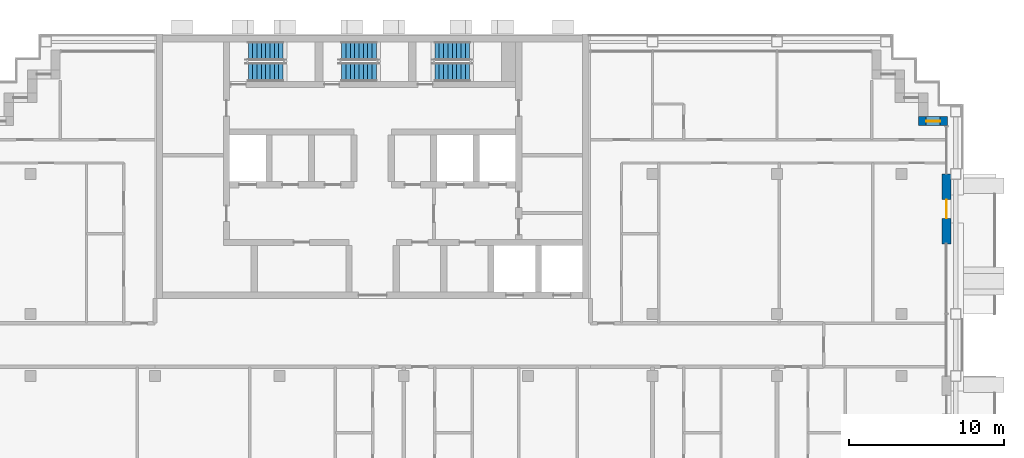
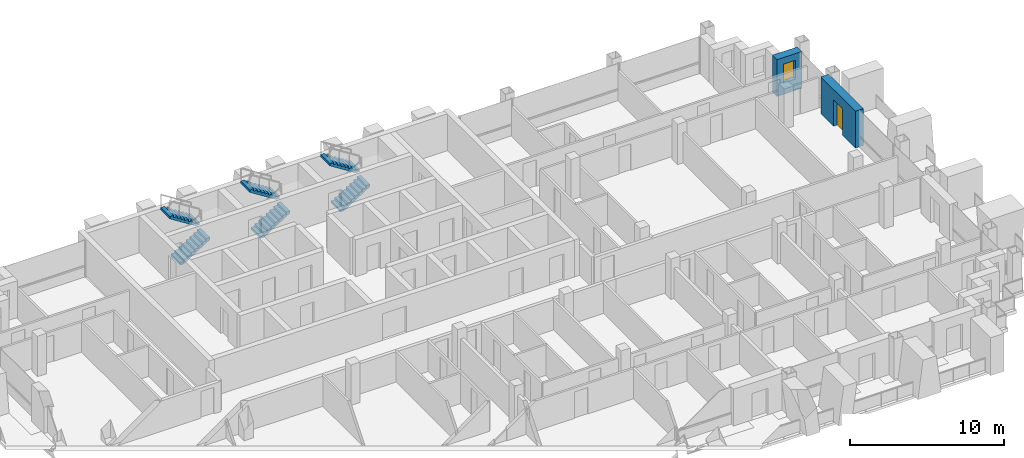
# One storey, part 12 of 16: 6 stair flights, 2 walls, 1 door, 1 window, 2 openings, 3 elements without a shape of their own.
"""IFC4 building model written with IfcOpenShell, lengths in metres."""

import ifcopenshell
import ifcopenshell.guid

model = None  # the IFC model being written
_history = None  # IfcOwnerHistory: only IFC2X3 demands one
_inside = {}  # id of a spatial element -> (the spatial element, [elements in it])
_under = {}  # id of a project, library or spatial element -> (it, [spatial elements below it])
_declared = {}  # id of a project -> (the project, [libraries it declares])
_typed = {}  # id of a type object -> (the type object, [elements of that type])
_made_of = {}  # id of a material, layer set ... -> (it, [elements and type objects made of it])


def new_model(schema):
    """Start an empty IFC model of exactly this schema.

    Asked for "IFC4X3", IfcOpenShell would pick the latest addendum, in which some entities
    have other attributes; the version numbers below select the first issue.
    IFC2X3 requires an IfcOwnerHistory on every rooted entity: one is made here for all.
    """
    global model, _history
    if schema == "IFC4X3":
        model = ifcopenshell.file(schema_version=(4, 3, 0, 0))
    else:
        model = ifcopenshell.file(schema=schema)
    _inside.clear()
    _under.clear()
    _declared.clear()
    _typed.clear()
    _made_of.clear()
    _history = None
    if model.schema == "IFC2X3":
        org = make("IfcOrganization", Name="unknown")
        user = make(
            "IfcPersonAndOrganization",
            ThePerson=make("IfcPerson", FamilyName="unknown"),
            TheOrganization=org,
        )
        app = make(
            "IfcApplication",
            ApplicationDeveloper=org,
            Version="unknown",
            ApplicationFullName="unknown",
            ApplicationIdentifier="unknown",
        )
        _history = make(
            "IfcOwnerHistory",
            OwningUser=user,
            OwningApplication=app,
            ChangeAction="ADDED",
            CreationDate=0,
        )
    return model


def make(cls, **values):
    """One entity of the class cls with the attributes given. An attribute that is None is left unset."""
    return model.create_entity(
        cls, **{name: value for name, value in values.items() if value is not None}
    )


def rooted(cls, **values):
    """An entity with a GlobalId (a new one), such as an element, a storey or a relation."""
    return make(cls, GlobalId=ifcopenshell.guid.new(), OwnerHistory=_history, **values)


def si_unit(unit_type, name, prefix=None):
    """IfcSIUnit, for example si_unit("LENGTHUNIT", "METRE", prefix="MILLI")."""
    return make("IfcSIUnit", UnitType=unit_type, Prefix=prefix, Name=name)


def assignment(units):
    """IfcUnitAssignment: the units of a project."""
    return None if units is None else make("IfcUnitAssignment", Units=units)


def point(xyz):
    """IfcCartesianPoint."""
    return None if xyz is None else make("IfcCartesianPoint", Coordinates=xyz)


def direction(xyz):
    """IfcDirection."""
    return None if xyz is None else make("IfcDirection", DirectionRatios=xyz)


def frame(location, z_axis=None, x_axis=None):
    """IfcAxis2Placement3D, a coordinate frame: its origin and axes. An axis left out is left unset."""
    return make(
        "IfcAxis2Placement3D",
        Location=point(location),
        Axis=direction(z_axis),
        RefDirection=direction(x_axis),
    )


def frame_2d(location, x_axis=None):
    """IfcAxis2Placement2D, a coordinate frame in the plane: its origin and x axis."""
    return make(
        "IfcAxis2Placement2D", Location=point(location), RefDirection=direction(x_axis)
    )


def origin():
    """The frame at (0, 0, 0) with its axes left unset."""
    return frame((0.0, 0.0, 0.0))


def place(relative_to, where):
    """IfcLocalPlacement: puts the frame where relative to a parent placement (None: the world)."""
    return make(
        "IfcLocalPlacement", PlacementRelTo=relative_to, RelativePlacement=where
    )


def context(
    kind, dimensions, precision=None, world=None, true_north=None, identifier=None
):
    """IfcGeometricRepresentationContext, for example the 3D "Model" context."""
    return make(
        "IfcGeometricRepresentationContext",
        ContextIdentifier=identifier,
        ContextType=kind,
        CoordinateSpaceDimension=dimensions,
        Precision=precision,
        WorldCoordinateSystem=world,
        TrueNorth=true_north,
    )


def subcontext(parent, identifier, kind, view, scale=None):
    """IfcGeometricRepresentationSubContext, for example "Body" below "Model"."""
    return make(
        "IfcGeometricRepresentationSubContext",
        ContextIdentifier=identifier,
        ContextType=kind,
        ParentContext=parent,
        TargetScale=scale,
        TargetView=view,
    )


def project(units=None, contexts=None):
    """IfcProject with its units and contexts."""
    return rooted(
        "IfcProject",
        Name="project",
        RepresentationContexts=contexts,
        UnitsInContext=assignment(units),
    )


def spatial(cls, under=None, at=None, **own):
    """A site, building, storey or space (cls), placed at a placement, below another one or the project."""
    s = rooted(cls, ObjectPlacement=at, **own)
    if under is not None:
        _under.setdefault(under.id(), (under, []))[1].append(s)
    return s


def polyline(points):
    """IfcPolyline through the points."""
    return make("IfcPolyline", Points=[point(p) for p in points])


def profile(cls, at=None, kind="AREA", **sizes):
    """A parametric profile (cls). Its sizes go by their IFC names, for example OverallWidth=200.0."""
    return make(cls, ProfileType=kind, Position=at, **sizes)


def rectangle(**sizes):
    """IfcRectangleProfileDef."""
    return profile("IfcRectangleProfileDef", **sizes)


def outline(outer, holes=None, kind="AREA"):
    """IfcArbitraryClosedProfileDef: a profile drawn as a closed curve; with holes, ...WithVoids."""
    if holes is None:
        return make("IfcArbitraryClosedProfileDef", ProfileType=kind, OuterCurve=outer)
    return make(
        "IfcArbitraryProfileDefWithVoids",
        ProfileType=kind,
        OuterCurve=outer,
        InnerCurves=holes,
    )


def extrude(swept, where, along, depth):
    """IfcExtrudedAreaSolid: the profile swept, set in the frame where, extruded along a direction by depth."""
    return make(
        "IfcExtrudedAreaSolid",
        SweptArea=swept,
        Position=where,
        ExtrudedDirection=direction(along),
        Depth=depth,
    )


def shape(context_of_items, identifier, shape_type, items):
    """IfcShapeRepresentation: the items that make up one representation, for example the "Body"."""
    return make(
        "IfcShapeRepresentation",
        ContextOfItems=context_of_items,
        RepresentationIdentifier=identifier,
        RepresentationType=shape_type,
        Items=items,
    )


def material(Name=None, Category=None):
    """IfcMaterial."""
    return make("IfcMaterial", Name=Name, Category=Category)


def layer(
    of_material, thickness, ventilated=None, Name=None, Category=None, Priority=None
):
    """IfcMaterialLayer: one layer of a wall or slab, of a material (None: an air gap)."""
    return make(
        "IfcMaterialLayer",
        Material=of_material,
        LayerThickness=thickness,
        IsVentilated=ventilated,
        Name=Name,
        Category=Category,
        Priority=Priority,
    )


def layer_set(layers, Name=None):
    """IfcMaterialLayerSet."""
    return make("IfcMaterialLayerSet", MaterialLayers=layers, LayerSetName=Name)


def made_of(thing, what):
    """Note that an element or type object is made of a material, layer set ...; save() writes the relation."""
    if what is not None:
        _made_of.setdefault(what.id(), (what, []))[1].append(thing)
    return thing


def type_object(cls, material=None, **own):
    """A type object (cls), such as IfcWallType, which elements share."""
    return made_of(rooted(cls, **own), material)


def element(
    cls,
    number,
    at=None,
    inside=None,
    cuts=None,
    type_object=None,
    material=None,
    context=None,
    identifier="Body",
    shape_type=None,
    held_by="IfcProductDefinitionShape",
    body=None,
    shapes=None,
    **own,
):
    """One element of the class cls, such as IfcWall. Its Tag is "e" and its number.

    at: its placement. inside: the storey or other place that contains it. cuts: it is an
    opening in that element (IfcRelVoidsElement). A single representation is given by context,
    identifier, shape_type and body (its items); several are given by shapes. held_by: the class
    of the entity that holds the representations. save() writes the other relations.
    """
    e = rooted(cls, Tag="e%d" % number, ObjectPlacement=at, **own)
    if body is not None:
        shapes = [shape(context, identifier, shape_type, body)]
    if shapes is not None:
        e.Representation = make(held_by, Representations=shapes)
    if inside is not None:
        _inside.setdefault(inside.id(), (inside, []))[1].append(e)
    if cuts is not None:
        rooted(
            "IfcRelVoidsElement", RelatingBuildingElement=cuts, RelatedOpeningElement=e
        )
    if type_object is not None:
        _typed.setdefault(type_object.id(), (type_object, []))[1].append(e)
    return made_of(e, material)


def fill(opening, filler):
    """IfcRelFillsElement: the door or window that sits in an opening."""
    return rooted(
        "IfcRelFillsElement",
        RelatingOpeningElement=opening,
        RelatedBuildingElement=filler,
    )


def aggregate(whole, parts):
    """IfcRelAggregates: a whole, such as a stair, and the parts it consists of."""
    return rooted("IfcRelAggregates", RelatingObject=whole, RelatedObjects=parts)


def save(model, path):
    """Write the relations noted so far, then the file.

    IfcRelAggregates (storeys below a building ...), IfcRelContainedInSpatialStructure (elements
    in a storey), IfcRelDefinesByType, IfcRelAssociatesMaterial and IfcRelDeclares: one each for
    every whole, place, type object, material and project.
    """
    for whole, parts in _under.values():
        aggregate(whole, parts)
    for where, things in _inside.values():
        rooted(
            "IfcRelContainedInSpatialStructure",
            RelatedElements=things,
            RelatingStructure=where,
        )
    for kind, things in _typed.values():
        rooted("IfcRelDefinesByType", RelatedObjects=things, RelatingType=kind)
    for what, things in _made_of.values():
        rooted("IfcRelAssociatesMaterial", RelatedObjects=things, RelatingMaterial=what)
    for by, libraries in _declared.values():
        rooted("IfcRelDeclares", RelatingContext=by, RelatedDefinitions=libraries)
    model.write(path)


model = new_model("IFC4")

# Units and contexts
model_context = context("Model", 3, precision=1e-05, world=origin(), true_north=direction((0.0, 1.0)))
body_context = subcontext(model_context, "Body", "Model", "MODEL_VIEW")
ifc_project = project(units=[si_unit("LENGTHUNIT", "METRE"), si_unit("AREAUNIT", "SQUARE_METRE"), si_unit("VOLUMEUNIT", "CUBIC_METRE"), si_unit("PLANEANGLEUNIT", "RADIAN"), si_unit("MASSUNIT", "GRAM", prefix="KILO")], contexts=[model_context])

# Site, building, storey
site_placement = place(None, origin())
site = spatial("IfcSite", under=ifc_project, at=site_placement, CompositionType="ELEMENT")
building_placement = place(site_placement, origin())
building = spatial("IfcBuilding", under=site, at=building_placement, Name="Vidyagriha Tower", CompositionType="ELEMENT")
storey_placement = place(building_placement, frame((0.0, 0.0, 174.89990234375)))
storey = spatial("IfcBuildingStorey", under=building, at=storey_placement, Name="L45", CompositionType="ELEMENT", Elevation=174.89990234375)

# Wall, opening, window
ifc_material_1 = material(Name="Precast concrete C40/50 with brick facing", Category="concrete")
ifc_layer = layer(ifc_material_1, 0.60009765625)
ifc_layer_set = layer_set([ifc_layer], Name="Precast concrete C40/50 with brick facing")
wall_type = type_object("IfcWallType", Name="Brick-faced precast wall 600", PredefinedType="STANDARD", material=ifc_layer_set)
wall_1_placement = place(storey_placement, frame((36.97998046875, 14.39990234375, 0.0), z_axis=(0.0, 0.0, 1.0), x_axis=(-1.0, 0.0, 0.0)))
wall_1 = element("IfcWall", 1, at=wall_1_placement, inside=storey, type_object=wall_type, Name="Stepped corner wall L45 R01", PredefinedType="STANDARD", context=body_context, shape_type="SweptSolid", body=[
    extrude(rectangle(XDim=1.8798828125, YDim=0.60009765625, at=frame_2d((0.93994140625, 0.0))), origin(), (0.0, 0.0, 1.0), 2.920166015625),
])
opening_1_placement = place(wall_1_placement, frame((0.489990234375, 0.0, 0.89990234375)))
opening_1 = element("IfcOpeningElement", 2, at=opening_1_placement, cuts=wall_1, Name="Opening WN1", PredefinedType="OPENING", context=body_context, shape_type="SweptSolid", body=[
    extrude(rectangle(XDim=0.89990234375, YDim=1.5, at=frame_2d((0.449951171875, 0.75))), frame((0.0, 0.31005859375, 0.0), z_axis=(0.0, -1.0, 0.0), x_axis=(1.0, 0.0, 0.0)), (0.0, 0.0, 1.0), 0.6201171875),
])
ifc_material_2 = material(Name="Aluminium and glass window", Category="aluminium")
window_type = type_object("IfcWindowType", Name="Reveal window 900x1500", PartitioningType="NOTDEFINED", PredefinedType="WINDOW", material=ifc_material_2)
window_placement = place(opening_1_placement, origin())
window = element("IfcWindow", 3, at=window_placement, inside=storey, type_object=window_type, Name="Reveal window L45 R01", OverallHeight=1.5, OverallWidth=0.89990234375, PartitioningType="SINGLE_PANEL", PredefinedType="WINDOW", context=body_context, shape_type="SweptSolid", body=[
    extrude(rectangle(XDim=0.89990234375, YDim=1.5, at=frame_2d((0.449951171875, 0.75))), frame((0.0, 0.030029296875, 0.0), z_axis=(0.0, -1.0, 0.0), x_axis=(1.0, 0.0, 0.0)), (0.0, 0.0, 1.0), 0.06005859375),
])
fill(opening_1, window)

# Wall, opening, door
wall_2_placement = place(storey_placement, frame((36.89990234375, 6.5, 0.0), z_axis=(0.0, 0.0, 1.0), x_axis=(0.0, 1.0, 0.0)))
wall_2 = element("IfcWall", 4, at=wall_2_placement, inside=storey, type_object=wall_type, Name="Brick door bay wall L45 R30.6", PredefinedType="STANDARD", context=body_context, shape_type="SweptSolid", body=[
    extrude(rectangle(XDim=4.5, YDim=0.60009765625, at=frame_2d((2.25, 0.0))), origin(), (0.0, 0.0, 1.0), 2.920166015625),
])
opening_2_placement = place(wall_2_placement, frame((1.64990234375, 0.0, 0.0)))
opening_2 = element("IfcOpeningElement", 5, at=opening_2_placement, cuts=wall_2, Name="Opening D45-77", PredefinedType="OPENING", context=body_context, shape_type="SweptSolid", body=[
    extrude(rectangle(XDim=1.199951171875, YDim=2.10009765625, at=frame_2d((0.60009765625, 1.050048828125))), frame((0.0, 0.31005859375, 0.0), z_axis=(0.0, -1.0, 0.0), x_axis=(1.0, 0.0, 0.0)), (0.0, 0.0, 1.0), 0.6201171875),
])
ifc_material_3 = material(Name="Aluminium framed glazed sliding door", Category="aluminium")
door_type = type_object("IfcDoorType", Name="Balcony sliding door 1200x2100", OperationType="NOTDEFINED", PredefinedType="DOOR", material=ifc_material_3)
door_placement = place(opening_2_placement, origin())
door = element("IfcDoor", 6, at=door_placement, inside=storey, type_object=door_type, Name="Door D45-77", OperationType="SLIDING_TO_LEFT", OverallHeight=2.10009765625, OverallWidth=1.199951171875, PredefinedType="DOOR", context=body_context, shape_type="SweptSolid", body=[
    extrude(rectangle(XDim=1.199951171875, YDim=2.10009765625, at=frame_2d((0.60009765625, 1.050048828125))), frame((0.0, 0.02490234375, 0.0), z_axis=(0.0, -1.0, 0.0), x_axis=(1.0, 0.0, 0.0)), (0.0, 0.0, 1.0), 0.050048828125),
])
fill(opening_2, door)

# Stair, stair flights
ifc_material_4 = material(Name="Concrete C40/50", Category="concrete")
stair_type = type_object("IfcStairType", Name="Exit stair, half-turn, precast flights", PredefinedType="HALF_TURN_STAIR", material=ifc_material_4)
stair_1_placement = place(storey_placement, origin())
stair_1 = element("IfcStair", 7, at=stair_1_placement, inside=storey, type_object=stair_type, Name="L45 Exit Stair ST1", PredefinedType="HALF_TURN_STAIR")
ifc_material_5 = material(Name="Precast concrete C40/50", Category="concrete")
stair_flight_type = type_object("IfcStairFlightType", Name="Exit stair flight 1200 mm, precast", PredefinedType="STRAIGHT", material=ifc_material_5)
stair_flight_1_placement = place(storey_placement, frame((-8.0, 17.550048828125, 0.0)))
stair_flight_1 = element("IfcStairFlight", 8, at=stair_flight_1_placement, type_object=stair_flight_type, Name="ST1 flight 1", NumberOfRisers=9, NumberOfTreads=8, PredefinedType="STRAIGHT", RiserHeight=0.177777778, TreadLength=0.28, context=body_context, shape_type="SweptSolid", body=[
    extrude(outline(polyline([(0.0, 0.0), (0.0, 0.177734375), (0.280029296875, 0.177734375), (0.280029296875, 0.35546875), (0.56005859375, 0.35546875), (0.56005859375, 0.533447265625), (0.840087890625, 0.533447265625), (0.840087890625, 0.711181640625), (1.1201171875, 0.711181640625), (1.1201171875, 0.888916015625), (1.39990234375, 0.888916015625), (1.39990234375, 1.066650390625), (1.679931640625, 1.066650390625), (1.679931640625, 1.244384765625), (1.9599609375, 1.244384765625), (1.9599609375, 1.422119140625), (2.239990234375, 1.422119140625), (2.239990234375, 1.60009765625), (2.239990234375, 1.24462890625), (0.27978515625, 0.0), (0.0, 0.0)])), frame((0.0, 0.60009765625, 0.0), z_axis=(0.0, -1.0, 0.0), x_axis=(1.0, 0.0, 0.0)), (0.0, 0.0, 1.0), 1.199951171875),
])
stair_flight_2_placement = place(storey_placement, frame((-5.760009765625, 18.89990234375, 1.60009765625), z_axis=(0.0, 0.0, 1.0), x_axis=(-1.0, 0.0, 0.0)))
stair_flight_2 = element("IfcStairFlight", 9, at=stair_flight_2_placement, type_object=stair_flight_type, Name="ST1 flight 2", NumberOfRisers=9, NumberOfTreads=8, PredefinedType="STRAIGHT", RiserHeight=0.177777778, TreadLength=0.28, context=body_context, shape_type="SweptSolid", body=[
    extrude(outline(polyline([(0.0, 0.0), (0.0, 0.177734375), (0.280029296875, 0.177734375), (0.280029296875, 0.35546875), (0.56005859375, 0.35546875), (0.56005859375, 0.533447265625), (0.840087890625, 0.533447265625), (0.840087890625, 0.711181640625), (1.1201171875, 0.711181640625), (1.1201171875, 0.888916015625), (1.39990234375, 0.888916015625), (1.39990234375, 1.066650390625), (1.679931640625, 1.066650390625), (1.679931640625, 1.244384765625), (1.9599609375, 1.244384765625), (1.9599609375, 1.422119140625), (2.239990234375, 1.422119140625), (2.239990234375, 1.60009765625), (2.239990234375, 1.24462890625), (0.27978515625, 0.0), (0.0, 0.0)])), frame((0.0, 0.60009765625, 0.0), z_axis=(0.0, -1.0, 0.0), x_axis=(1.0, 0.0, 0.0)), (0.0, 0.0, 1.0), 1.199951171875),
])
aggregate(stair_1, [stair_flight_1, stair_flight_2])

stair_2_placement = place(storey_placement, origin())
stair_2 = element("IfcStair", 10, at=stair_2_placement, inside=storey, type_object=stair_type, Name="L45 Exit Stair ST2", PredefinedType="HALF_TURN_STAIR")
stair_flight_3_placement = place(storey_placement, frame((-2.0, 17.550048828125, 0.0)))
stair_flight_3 = element("IfcStairFlight", 11, at=stair_flight_3_placement, type_object=stair_flight_type, Name="ST2 flight 1", NumberOfRisers=9, NumberOfTreads=8, PredefinedType="STRAIGHT", RiserHeight=0.177777778, TreadLength=0.28, context=body_context, shape_type="SweptSolid", body=[
    extrude(outline(polyline([(0.0, 0.0), (0.0, 0.177734375), (0.280029296875, 0.177734375), (0.280029296875, 0.35546875), (0.56005859375, 0.35546875), (0.56005859375, 0.533447265625), (0.840087890625, 0.533447265625), (0.840087890625, 0.711181640625), (1.1201171875, 0.711181640625), (1.1201171875, 0.888916015625), (1.39990234375, 0.888916015625), (1.39990234375, 1.066650390625), (1.679931640625, 1.066650390625), (1.679931640625, 1.244384765625), (1.9599609375, 1.244384765625), (1.9599609375, 1.422119140625), (2.239990234375, 1.422119140625), (2.239990234375, 1.60009765625), (2.239990234375, 1.24462890625), (0.27978515625, 0.0), (0.0, 0.0)])), frame((0.0, 0.60009765625, 0.0), z_axis=(0.0, -1.0, 0.0), x_axis=(1.0, 0.0, 0.0)), (0.0, 0.0, 1.0), 1.199951171875),
])
stair_flight_4_placement = place(storey_placement, frame((0.239990234375, 18.89990234375, 1.60009765625), z_axis=(0.0, 0.0, 1.0), x_axis=(-1.0, 0.0, 0.0)))
stair_flight_4 = element("IfcStairFlight", 12, at=stair_flight_4_placement, type_object=stair_flight_type, Name="ST2 flight 2", NumberOfRisers=9, NumberOfTreads=8, PredefinedType="STRAIGHT", RiserHeight=0.177777778, TreadLength=0.28, context=body_context, shape_type="SweptSolid", body=[
    extrude(outline(polyline([(0.0, 0.0), (0.0, 0.177734375), (0.280029296875, 0.177734375), (0.280029296875, 0.35546875), (0.56005859375, 0.35546875), (0.56005859375, 0.533447265625), (0.840087890625, 0.533447265625), (0.840087890625, 0.711181640625), (1.1201171875, 0.711181640625), (1.1201171875, 0.888916015625), (1.39990234375, 0.888916015625), (1.39990234375, 1.066650390625), (1.679931640625, 1.066650390625), (1.679931640625, 1.244384765625), (1.9599609375, 1.244384765625), (1.9599609375, 1.422119140625), (2.239990234375, 1.422119140625), (2.239990234375, 1.60009765625), (2.239990234375, 1.24462890625), (0.27978515625, 0.0), (0.0, 0.0)])), frame((0.0, 0.60009765625, 0.0), z_axis=(0.0, -1.0, 0.0), x_axis=(1.0, 0.0, 0.0)), (0.0, 0.0, 1.0), 1.199951171875),
])
aggregate(stair_2, [stair_flight_3, stair_flight_4])

stair_3_placement = place(storey_placement, origin())
stair_3 = element("IfcStair", 13, at=stair_3_placement, inside=storey, type_object=stair_type, Name="L45 Exit Stair ST3", PredefinedType="HALF_TURN_STAIR")
stair_flight_5_placement = place(storey_placement, frame((4.0, 17.550048828125, 0.0)))
stair_flight_5 = element("IfcStairFlight", 14, at=stair_flight_5_placement, type_object=stair_flight_type, Name="ST3 flight 1", NumberOfRisers=9, NumberOfTreads=8, PredefinedType="STRAIGHT", RiserHeight=0.177777778, TreadLength=0.28, context=body_context, shape_type="SweptSolid", body=[
    extrude(outline(polyline([(0.0, 0.0), (0.0, 0.177734375), (0.280029296875, 0.177734375), (0.280029296875, 0.35546875), (0.56005859375, 0.35546875), (0.56005859375, 0.533447265625), (0.840087890625, 0.533447265625), (0.840087890625, 0.711181640625), (1.1201171875, 0.711181640625), (1.1201171875, 0.888916015625), (1.39990234375, 0.888916015625), (1.39990234375, 1.066650390625), (1.679931640625, 1.066650390625), (1.679931640625, 1.244384765625), (1.9599609375, 1.244384765625), (1.9599609375, 1.422119140625), (2.239990234375, 1.422119140625), (2.239990234375, 1.60009765625), (2.239990234375, 1.24462890625), (0.27978515625, 0.0), (0.0, 0.0)])), frame((0.0, 0.60009765625, 0.0), z_axis=(0.0, -1.0, 0.0), x_axis=(1.0, 0.0, 0.0)), (0.0, 0.0, 1.0), 1.199951171875),
])
stair_flight_6_placement = place(storey_placement, frame((6.239990234375, 18.89990234375, 1.60009765625), z_axis=(0.0, 0.0, 1.0), x_axis=(-1.0, 0.0, 0.0)))
stair_flight_6 = element("IfcStairFlight", 15, at=stair_flight_6_placement, type_object=stair_flight_type, Name="ST3 flight 2", NumberOfRisers=9, NumberOfTreads=8, PredefinedType="STRAIGHT", RiserHeight=0.177777778, TreadLength=0.28, context=body_context, shape_type="SweptSolid", body=[
    extrude(outline(polyline([(0.0, 0.0), (0.0, 0.177734375), (0.280029296875, 0.177734375), (0.280029296875, 0.35546875), (0.56005859375, 0.35546875), (0.56005859375, 0.533447265625), (0.840087890625, 0.533447265625), (0.840087890625, 0.711181640625), (1.1201171875, 0.711181640625), (1.1201171875, 0.888916015625), (1.39990234375, 0.888916015625), (1.39990234375, 1.066650390625), (1.679931640625, 1.066650390625), (1.679931640625, 1.244384765625), (1.9599609375, 1.244384765625), (1.9599609375, 1.422119140625), (2.239990234375, 1.422119140625), (2.239990234375, 1.60009765625), (2.239990234375, 1.24462890625), (0.27978515625, 0.0), (0.0, 0.0)])), frame((0.0, 0.60009765625, 0.0), z_axis=(0.0, -1.0, 0.0), x_axis=(1.0, 0.0, 0.0)), (0.0, 0.0, 1.0), 1.199951171875),
])
aggregate(stair_3, [stair_flight_5, stair_flight_6])

save(model, "model.ifc")
